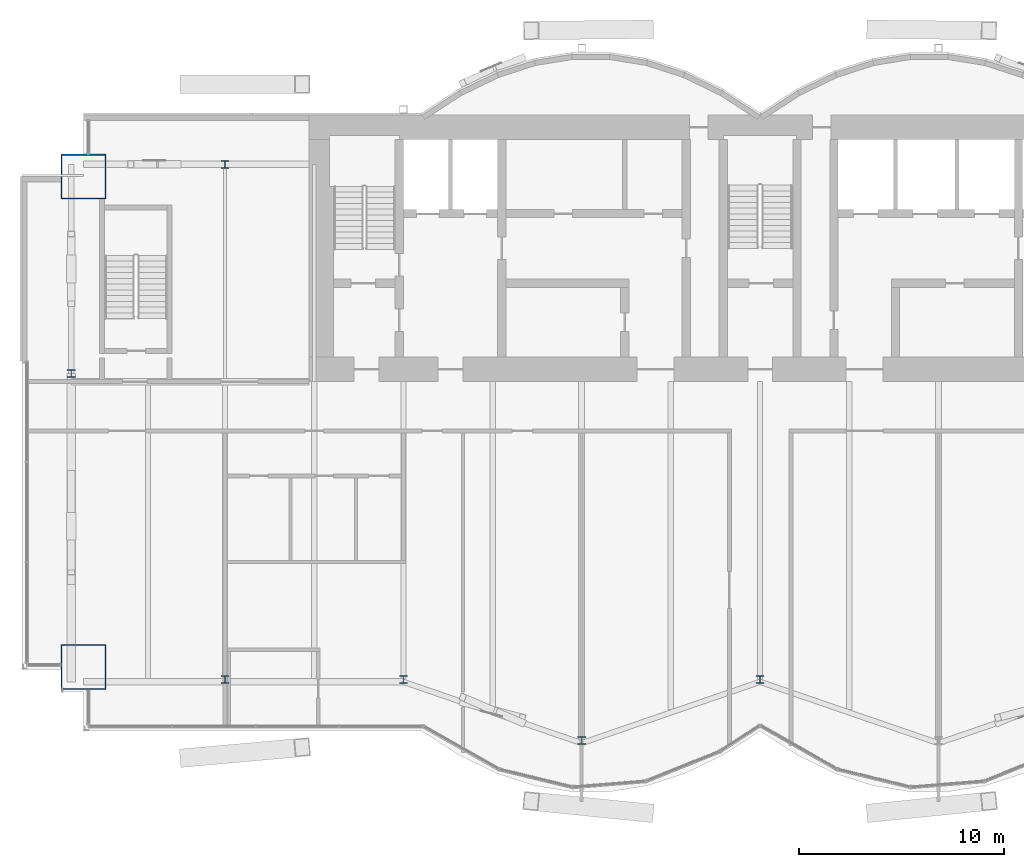
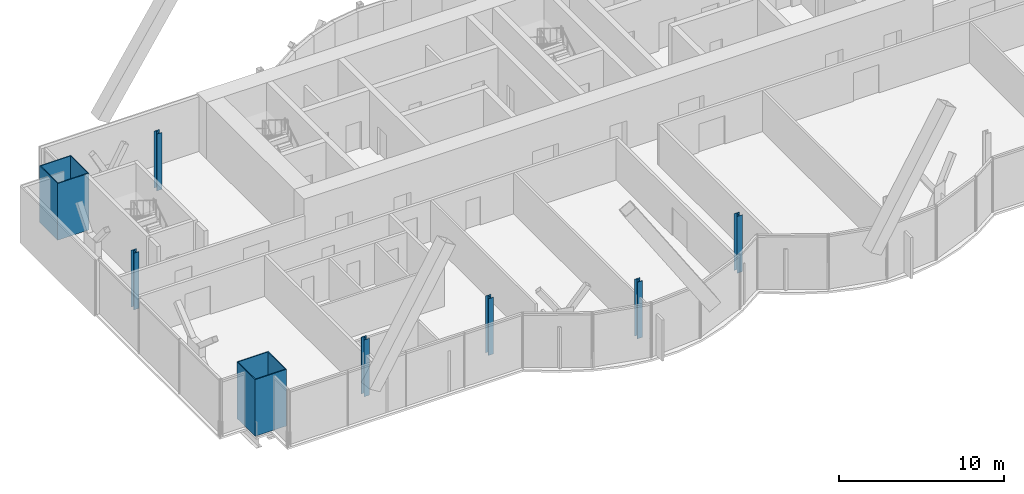
# One storey, part 1 of 20: 8 columns.
"""IFC4 building model written with IfcOpenShell, lengths in metres."""

import ifcopenshell
import ifcopenshell.guid

model = None  # the IFC model being written
_history = None  # IfcOwnerHistory: only IFC2X3 demands one
_inside = {}  # id of a spatial element -> (the spatial element, [elements in it])
_under = {}  # id of a project, library or spatial element -> (it, [spatial elements below it])
_declared = {}  # id of a project -> (the project, [libraries it declares])
_typed = {}  # id of a type object -> (the type object, [elements of that type])
_made_of = {}  # id of a material, layer set ... -> (it, [elements and type objects made of it])


def new_model(schema):
    """Start an empty IFC model of exactly this schema.

    Asked for "IFC4X3", IfcOpenShell would pick the latest addendum, in which some entities
    have other attributes; the version numbers below select the first issue.
    IFC2X3 requires an IfcOwnerHistory on every rooted entity: one is made here for all.
    """
    global model, _history
    if schema == "IFC4X3":
        model = ifcopenshell.file(schema_version=(4, 3, 0, 0))
    else:
        model = ifcopenshell.file(schema=schema)
    _inside.clear()
    _under.clear()
    _declared.clear()
    _typed.clear()
    _made_of.clear()
    _history = None
    if model.schema == "IFC2X3":
        org = make("IfcOrganization", Name="unknown")
        user = make(
            "IfcPersonAndOrganization",
            ThePerson=make("IfcPerson", FamilyName="unknown"),
            TheOrganization=org,
        )
        app = make(
            "IfcApplication",
            ApplicationDeveloper=org,
            Version="unknown",
            ApplicationFullName="unknown",
            ApplicationIdentifier="unknown",
        )
        _history = make(
            "IfcOwnerHistory",
            OwningUser=user,
            OwningApplication=app,
            ChangeAction="ADDED",
            CreationDate=0,
        )
    return model


def make(cls, **values):
    """One entity of the class cls with the attributes given. An attribute that is None is left unset."""
    return model.create_entity(
        cls, **{name: value for name, value in values.items() if value is not None}
    )


def rooted(cls, **values):
    """An entity with a GlobalId (a new one), such as an element, a storey or a relation."""
    return make(cls, GlobalId=ifcopenshell.guid.new(), OwnerHistory=_history, **values)


def si_unit(unit_type, name, prefix=None):
    """IfcSIUnit, for example si_unit("LENGTHUNIT", "METRE", prefix="MILLI")."""
    return make("IfcSIUnit", UnitType=unit_type, Prefix=prefix, Name=name)


def assignment(units):
    """IfcUnitAssignment: the units of a project."""
    return None if units is None else make("IfcUnitAssignment", Units=units)


def point(xyz):
    """IfcCartesianPoint."""
    return None if xyz is None else make("IfcCartesianPoint", Coordinates=xyz)


def direction(xyz):
    """IfcDirection."""
    return None if xyz is None else make("IfcDirection", DirectionRatios=xyz)


def frame(location, z_axis=None, x_axis=None):
    """IfcAxis2Placement3D, a coordinate frame: its origin and axes. An axis left out is left unset."""
    return make(
        "IfcAxis2Placement3D",
        Location=point(location),
        Axis=direction(z_axis),
        RefDirection=direction(x_axis),
    )


def frame_2d(location, x_axis=None):
    """IfcAxis2Placement2D, a coordinate frame in the plane: its origin and x axis."""
    return make(
        "IfcAxis2Placement2D", Location=point(location), RefDirection=direction(x_axis)
    )


def origin():
    """The frame at (0, 0, 0) with its axes left unset."""
    return frame((0.0, 0.0, 0.0))


def origin_2d():
    """The frame at (0, 0) in the plane with its x axis left unset."""
    return frame_2d((0.0, 0.0))


def place(relative_to, where):
    """IfcLocalPlacement: puts the frame where relative to a parent placement (None: the world)."""
    return make(
        "IfcLocalPlacement", PlacementRelTo=relative_to, RelativePlacement=where
    )


def context(
    kind, dimensions, precision=None, world=None, true_north=None, identifier=None
):
    """IfcGeometricRepresentationContext, for example the 3D "Model" context."""
    return make(
        "IfcGeometricRepresentationContext",
        ContextIdentifier=identifier,
        ContextType=kind,
        CoordinateSpaceDimension=dimensions,
        Precision=precision,
        WorldCoordinateSystem=world,
        TrueNorth=true_north,
    )


def subcontext(parent, identifier, kind, view, scale=None):
    """IfcGeometricRepresentationSubContext, for example "Body" below "Model"."""
    return make(
        "IfcGeometricRepresentationSubContext",
        ContextIdentifier=identifier,
        ContextType=kind,
        ParentContext=parent,
        TargetScale=scale,
        TargetView=view,
    )


def project(units=None, contexts=None):
    """IfcProject with its units and contexts."""
    return rooted(
        "IfcProject",
        Name="project",
        RepresentationContexts=contexts,
        UnitsInContext=assignment(units),
    )


def spatial(cls, under=None, at=None, **own):
    """A site, building, storey or space (cls), placed at a placement, below another one or the project."""
    s = rooted(cls, ObjectPlacement=at, **own)
    if under is not None:
        _under.setdefault(under.id(), (under, []))[1].append(s)
    return s


def profile(cls, at=None, kind="AREA", **sizes):
    """A parametric profile (cls). Its sizes go by their IFC names, for example OverallWidth=200.0."""
    return make(cls, ProfileType=kind, Position=at, **sizes)


def hollow_rectangle(**sizes):
    """IfcRectangleHollowProfileDef."""
    return profile("IfcRectangleHollowProfileDef", **sizes)


def i_section(**sizes):
    """IfcIShapeProfileDef."""
    return profile("IfcIShapeProfileDef", **sizes)


def extrude(swept, where, along, depth):
    """IfcExtrudedAreaSolid: the profile swept, set in the frame where, extruded along a direction by depth."""
    return make(
        "IfcExtrudedAreaSolid",
        SweptArea=swept,
        Position=where,
        ExtrudedDirection=direction(along),
        Depth=depth,
    )


def shape(context_of_items, identifier, shape_type, items):
    """IfcShapeRepresentation: the items that make up one representation, for example the "Body"."""
    return make(
        "IfcShapeRepresentation",
        ContextOfItems=context_of_items,
        RepresentationIdentifier=identifier,
        RepresentationType=shape_type,
        Items=items,
    )


def material(Name=None, Category=None):
    """IfcMaterial."""
    return make("IfcMaterial", Name=Name, Category=Category)


def material_profile(
    of_material, cross_section, Name=None, Category=None, Priority=None
):
    """IfcMaterialProfile: a cross section and its material."""
    return make(
        "IfcMaterialProfile",
        Name=Name,
        Material=of_material,
        Profile=cross_section,
        Priority=Priority,
        Category=Category,
    )


def profile_set(profiles, Name=None, composite=None):
    """IfcMaterialProfileSet."""
    return make(
        "IfcMaterialProfileSet",
        Name=Name,
        MaterialProfiles=profiles,
        CompositeProfile=composite,
    )


def made_of(thing, what):
    """Note that an element or type object is made of a material, layer set ...; save() writes the relation."""
    if what is not None:
        _made_of.setdefault(what.id(), (what, []))[1].append(thing)
    return thing


def type_object(cls, material=None, **own):
    """A type object (cls), such as IfcWallType, which elements share."""
    return made_of(rooted(cls, **own), material)


def element(
    cls,
    number,
    at=None,
    inside=None,
    cuts=None,
    type_object=None,
    material=None,
    context=None,
    identifier="Body",
    shape_type=None,
    held_by="IfcProductDefinitionShape",
    body=None,
    shapes=None,
    **own,
):
    """One element of the class cls, such as IfcWall. Its Tag is "e" and its number.

    at: its placement. inside: the storey or other place that contains it. cuts: it is an
    opening in that element (IfcRelVoidsElement). A single representation is given by context,
    identifier, shape_type and body (its items); several are given by shapes. held_by: the class
    of the entity that holds the representations. save() writes the other relations.
    """
    e = rooted(cls, Tag="e%d" % number, ObjectPlacement=at, **own)
    if body is not None:
        shapes = [shape(context, identifier, shape_type, body)]
    if shapes is not None:
        e.Representation = make(held_by, Representations=shapes)
    if inside is not None:
        _inside.setdefault(inside.id(), (inside, []))[1].append(e)
    if cuts is not None:
        rooted(
            "IfcRelVoidsElement", RelatingBuildingElement=cuts, RelatedOpeningElement=e
        )
    if type_object is not None:
        _typed.setdefault(type_object.id(), (type_object, []))[1].append(e)
    return made_of(e, material)


def aggregate(whole, parts):
    """IfcRelAggregates: a whole, such as a stair, and the parts it consists of."""
    return rooted("IfcRelAggregates", RelatingObject=whole, RelatedObjects=parts)


def save(model, path):
    """Write the relations noted so far, then the file.

    IfcRelAggregates (storeys below a building ...), IfcRelContainedInSpatialStructure (elements
    in a storey), IfcRelDefinesByType, IfcRelAssociatesMaterial and IfcRelDeclares: one each for
    every whole, place, type object, material and project.
    """
    for whole, parts in _under.values():
        aggregate(whole, parts)
    for where, things in _inside.values():
        rooted(
            "IfcRelContainedInSpatialStructure",
            RelatedElements=things,
            RelatingStructure=where,
        )
    for kind, things in _typed.values():
        rooted("IfcRelDefinesByType", RelatedObjects=things, RelatingType=kind)
    for what, things in _made_of.values():
        rooted("IfcRelAssociatesMaterial", RelatedObjects=things, RelatingMaterial=what)
    for by, libraries in _declared.values():
        rooted("IfcRelDeclares", RelatingContext=by, RelatedDefinitions=libraries)
    model.write(path)


model = new_model("IFC4")

# Units and contexts
model_context = context("Model", 3, precision=1e-05, world=origin(), true_north=direction((0.0, 1.0)))
body_context = subcontext(model_context, "Body", "Model", "MODEL_VIEW")
ifc_project = project(units=[si_unit("LENGTHUNIT", "METRE"), si_unit("AREAUNIT", "SQUARE_METRE"), si_unit("VOLUMEUNIT", "CUBIC_METRE"), si_unit("PLANEANGLEUNIT", "RADIAN"), si_unit("MASSUNIT", "GRAM", prefix="KILO")], contexts=[model_context])

# Site, building, storey
site_placement = place(None, origin())
site = spatial("IfcSite", under=ifc_project, at=site_placement, CompositionType="ELEMENT")
building_placement = place(site_placement, origin())
building = spatial("IfcBuilding", under=site, at=building_placement, Name="Bicima Exchange Tower", CompositionType="ELEMENT")
storey_placement = place(building_placement, frame((0.0, 0.0, 245.60009765625)))
storey = spatial("IfcBuildingStorey", under=building, at=storey_placement, Name="L55", CompositionType="ELEMENT", Elevation=245.60009765625)

# Columns
ifc_material_1 = material(Name="Steel ASTM A572 Gr 50", Category="steel")
ifc_material_profile_1 = material_profile(ifc_material_1, hollow_rectangle(XDim=2.199951171875, YDim=2.199951171875, WallThickness=0.06005859375, at=origin_2d()))
ifc_profile_set_1 = profile_set([ifc_material_profile_1], Name="Steel ASTM A572 Gr 50")
column_type_1 = type_object("IfcColumnType", Name="Mega column BOX 2200x2200x60", PredefinedType="COLUMN", material=ifc_profile_set_1)
for number, where, z_axis, x_axis, name in (
    (1, (-33.0, -26.922119140625, 0.0), (0.0, 0.0, 1.0), (1.0, 0.0, 0.0), "Mega column mega-33.0f"),
    (2, (-33.0, -3.0, 0.0), (0.0, 0.0, 1.0), (1.0, 0.0, 0.0), "Mega column mega-33.0r"),
):
    element("IfcColumn", number, at=place(storey_placement, frame(where, z_axis=z_axis, x_axis=x_axis)), inside=storey, type_object=column_type_1, Name=name, PredefinedType="COLUMN", context=body_context, shape_type="SweptSolid", body=[
        extrude(hollow_rectangle(XDim=2.199951171875, YDim=2.199951171875, WallThickness=0.06005859375, at=origin_2d()), origin(), (0.0, 0.0, 1.0), 4.199951171875),
    ])
ifc_material_2 = material(Name="Steel ASTM A992 Gr 50", Category="steel")
ifc_material_profile_2 = material_profile(ifc_material_2, i_section(OverallWidth=0.370849609375, OverallDepth=0.36328125, WebThickness=0.013427734375, FlangeThickness=0.021728515625, at=origin_2d()))
ifc_profile_set_2 = profile_set([ifc_material_profile_2], Name="Steel ASTM A992 Gr 50")
column_type_2 = type_object("IfcColumnType", Name="Perimeter column W14x109", PredefinedType="COLUMN", material=ifc_profile_set_2)
for number, where, z_axis, x_axis, name in (
    (3, (-26.10009765625, -27.52197265625, 0.0), (0.0, 0.0, 1.0), (1.0, 0.0, 0.0), "Perimeter column grav-26.1f"),
    (4, (-26.10009765625, -2.39990234375, 0.0), (0.0, 0.0, 1.0), (1.0, 0.0, 0.0), "Perimeter column grav-26.1r"),
    (5, (-17.39990234375, -27.52197265625, 0.0), (0.0, 0.0, 1.0), (1.0, 0.0, 0.0), "Perimeter column grav-17.4f"),
    (6, (-8.699951171875, -30.51318359375, 0.0), (0.0, 0.0, 1.0), (1.0, 0.0, 0.0), "Perimeter column grav-8.7f"),
    (7, (0.0, -27.52197265625, 0.0), (0.0, 0.0, 1.0), (1.0, 0.0, 0.0), "Perimeter column grav-0.0f"),
    (8, (-33.60009765625, -12.60009765625, 0.0), (0.0, 0.0, 1.0), (1.0, 0.0, 0.0), "End column end-33.6e"),
):
    element("IfcColumn", number, at=place(storey_placement, frame(where, z_axis=z_axis, x_axis=x_axis)), inside=storey, type_object=column_type_2, Name=name, PredefinedType="COLUMN", context=body_context, shape_type="SweptSolid", body=[
        extrude(i_section(OverallWidth=0.370849609375, OverallDepth=0.36328125, WebThickness=0.013427734375, FlangeThickness=0.021728515625, at=origin_2d()), origin(), (0.0, 0.0, 1.0), 4.199951171875),
    ])

save(model, "model.ifc")
